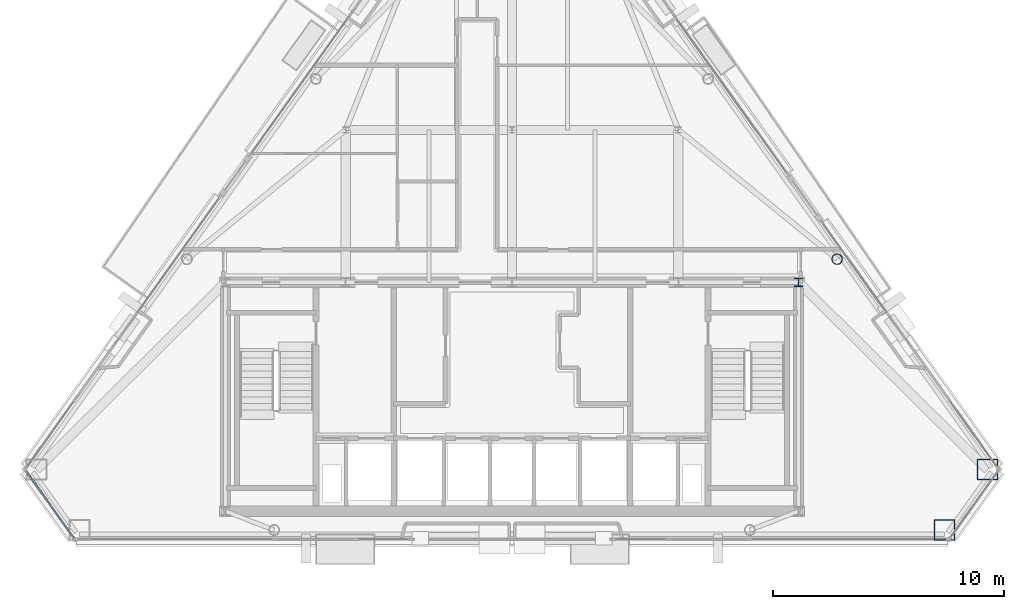
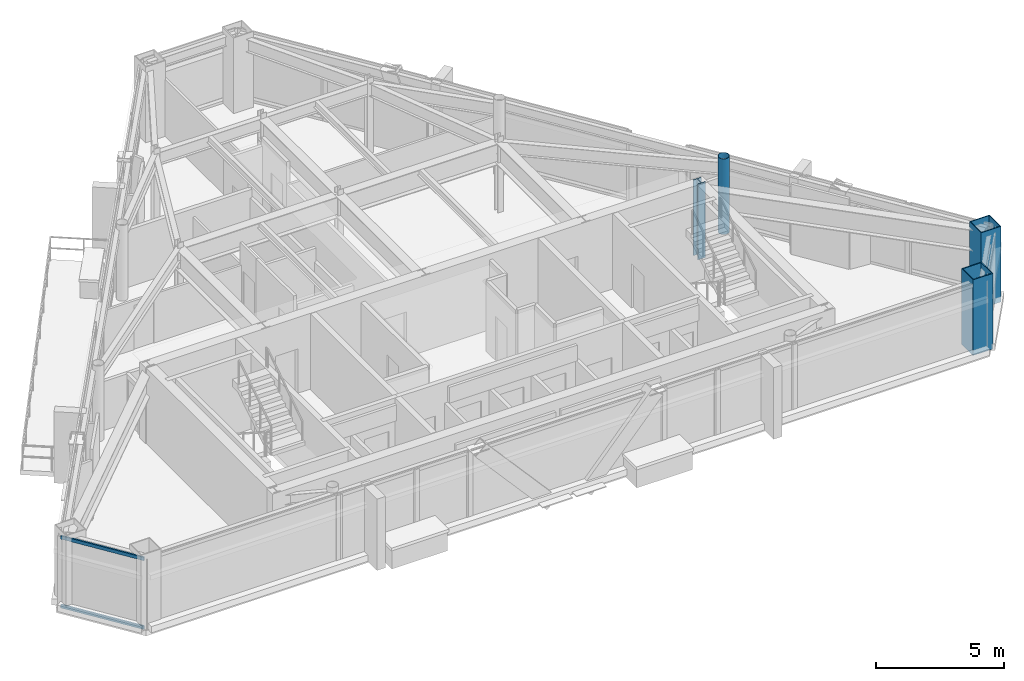
# One storey, part 3 of 12: 4 columns, 2 members, 1 element without a shape of its own.
"""IFC4 building model written with IfcOpenShell, lengths in metres."""

from ifc_helpers import new_model, si_unit, direction, frame, origin, origin_2d, place, context, subcontext, project, spatial, rectangle, hollow_rectangle, hollow_circle, i_section, extrude, material, layer, layer_set, material_profile, profile_set, type_object, element, aggregate, save


model = new_model("IFC4")

# Units and contexts
model_context = context("Model", 3, precision=1e-05, world=origin(), true_north=direction((0.0, 1.0)))
body_context = subcontext(model_context, "Body", "Model", "MODEL_VIEW")
ifc_project = project(units=[si_unit("LENGTHUNIT", "METRE"), si_unit("AREAUNIT", "SQUARE_METRE"), si_unit("VOLUMEUNIT", "CUBIC_METRE"), si_unit("PLANEANGLEUNIT", "RADIAN"), si_unit("MASSUNIT", "GRAM", prefix="KILO")], contexts=[model_context])

# Site, building, storey
site_placement = place(None, origin())
site = spatial("IfcSite", under=ifc_project, at=site_placement, CompositionType="ELEMENT")
building_placement = place(site_placement, origin())
building = spatial("IfcBuilding", under=site, at=building_placement, Name="Talgorran Terracotta Tower", CompositionType="ELEMENT")
storey_placement = place(building_placement, frame((0.0, 0.0, 263.39990234375)))
storey = spatial("IfcBuildingStorey", under=building, at=storey_placement, Name="L69", CompositionType="ELEMENT", Elevation=263.39990234375)

# Columns
ifc_material_1 = material(Name="Steel S355 (300PLUS)", Category="steel")
ifc_material_profile_1 = material_profile(ifc_material_1, i_section(OverallWidth=0.35205078125, OverallDepth=0.35888671875, WebThickness=0.01806640625, FlangeThickness=0.02587890625, at=origin_2d()), Name="350WC197")
ifc_profile_set_1 = profile_set([ifc_material_profile_1], Name="Steel S355 (300PLUS)")
column_type_1 = type_object("IfcColumnType", Name="COL_350WC197", PredefinedType="COLUMN", material=ifc_profile_set_1)
column_1_placement = place(storey_placement, frame((12.39990234375, -4.199951171875, 0.0), z_axis=(0.0, 0.0, 1.0), x_axis=(1.0, 0.0, 0.0)))
element("IfcColumn", 1, at=column_1_placement, inside=storey, type_object=column_type_1, Name="L69 Core Boundary Column CC3", PredefinedType="COLUMN", context=body_context, shape_type="SweptSolid", body=[
    extrude(i_section(OverallWidth=0.35205078125, OverallDepth=0.35888671875, WebThickness=0.01806640625, FlangeThickness=0.02587890625, at=origin_2d()), origin(), (0.0, 0.0, 1.0), 3.60009765625),
])
ifc_material_2 = material(Name="Steel Grade 350 (350L0)", Category="steel")
ifc_material_profile_2 = material_profile(ifc_material_2, hollow_rectangle(XDim=0.89990234375, YDim=0.89990234375, WallThickness=0.0400390625, at=origin_2d()), Name="CFT900X900X40")
ifc_profile_set_2 = profile_set([ifc_material_profile_2], Name="Steel Grade 350 (350L0)")
column_type_2 = type_object("IfcColumnType", Name="COL_CFT_900", PredefinedType="COLUMN", material=ifc_profile_set_2)
for number, where, z_axis, x_axis, name in (
    (2, (18.71435546875, -14.9189453125, 0.0), (0.0, 0.0, 1.0), (1.0, 0.0, 0.0), "L69 Corner CFT Mega-Column MC3"),
    (3, (20.5849609375, -12.303466796875, 0.0), (0.0, 0.0, 1.0), (1.0, 0.0, 0.0), "L69 Corner CFT Mega-Column MC4"),
):
    element("IfcColumn", number, at=place(storey_placement, frame(where, z_axis=z_axis, x_axis=x_axis)), inside=storey, type_object=column_type_2, Name=name, PredefinedType="COLUMN", context=body_context, shape_type="SweptSolid", body=[
        extrude(hollow_rectangle(XDim=0.89990234375, YDim=0.89990234375, WallThickness=0.0400390625, at=origin_2d()), origin(), (0.0, 0.0, 1.0), 3.60009765625),
    ])
ifc_material_3 = material(Name="Steel S350 (C350L0)", Category="steel")
ifc_material_profile_3 = material_profile(ifc_material_3, hollow_circle(Radius=0.228515625, WallThickness=0.01611328125, at=origin_2d()), Name="CHS457X16")
ifc_profile_set_3 = profile_set([ifc_material_profile_3], Name="Steel S350 (C350L0)")
column_type_3 = type_object("IfcColumnType", Name="COL_CHS_457", PredefinedType="COLUMN", material=ifc_profile_set_3)
column_2_placement = place(storey_placement, frame((14.071533203125, -3.1962890625, 0.0), z_axis=(0.0, 0.0, 1.0), x_axis=(1.0, 0.0, 0.0)))
element("IfcColumn", 4, at=column_2_placement, inside=storey, type_object=column_type_3, Name="L69 Facet Perimeter Column FC3", PredefinedType="COLUMN", context=body_context, shape_type="SweptSolid", body=[
    extrude(hollow_circle(Radius=0.228515625, WallThickness=0.01611328125, at=origin_2d()), origin(), (0.0, 0.0, 1.0), 3.60009765625),
])

# Curtain wall, members
ifc_material_4 = material(Name="High-Wind Unitised Glazing", Category="glass")
ifc_layer = layer(ifc_material_4, 0.2099609375, Name="CW_SYS3_RES_HIGH")
ifc_layer_set = layer_set([ifc_layer], Name="High-Wind Unitised Glazing")
curtain_wall_type = type_object("IfcCurtainWallType", Name="CW_SYS3_RES_HIGH", PredefinedType="NOTDEFINED", material=ifc_layer_set)
curtain_wall_placement = place(storey_placement, origin())
curtain_wall = element("IfcCurtainWall", 5, at=curtain_wall_placement, inside=storey, type_object=curtain_wall_type, Name="CW-L69-F0", PredefinedType="NOTDEFINED")
ifc_material_5 = material(Name="Architectural Aluminium 6063-T6", Category="aluminium")
ifc_material_profile_4 = material_profile(ifc_material_5, rectangle(XDim=0.070068359375, YDim=0.159912109375, at=origin_2d()), Name="CWT70X160")
ifc_profile_set_4 = profile_set([ifc_material_profile_4], Name="Architectural Aluminium 6063-T6")
member_type = type_object("IfcMemberType", Name="TRN_70X160", PredefinedType="USERDEFINED", material=ifc_profile_set_4)
member_1_placement = place(storey_placement, frame((-21.035888671875, -12.3603515625, 0.03515625), z_axis=(0.581723630641, -0.813386511785, 0.0), x_axis=(0.813386511785, 0.581723630641, 0.0)))
member_1 = element("IfcMember", 6, at=member_1_placement, type_object=member_type, Name="CW-L69-0 transom 1.1", ObjectType="TRANSOM", PredefinedType="USERDEFINED", context=body_context, shape_type="SweptSolid", body=[
    extrude(rectangle(XDim=0.070068359375, YDim=0.159912109375, at=origin_2d()), origin(), (0.0, 0.0, 1.0), 3.5673828125),
])
member_2_placement = place(storey_placement, frame((-21.035888671875, -12.3603515625, 3.31005859375), z_axis=(0.581723630641, -0.813386511785, 0.0), x_axis=(0.813386511785, 0.581723630641, 0.0)))
member_2 = element("IfcMember", 7, at=member_2_placement, type_object=member_type, Name="CW-L69-0 transom 1.2", ObjectType="TRANSOM", PredefinedType="USERDEFINED", context=body_context, shape_type="SweptSolid", body=[
    extrude(rectangle(XDim=0.070068359375, YDim=0.159912109375, at=origin_2d()), origin(), (0.0, 0.0, 1.0), 3.5673828125),
])
aggregate(curtain_wall, [member_1, member_2])

save(model, "model.ifc")
